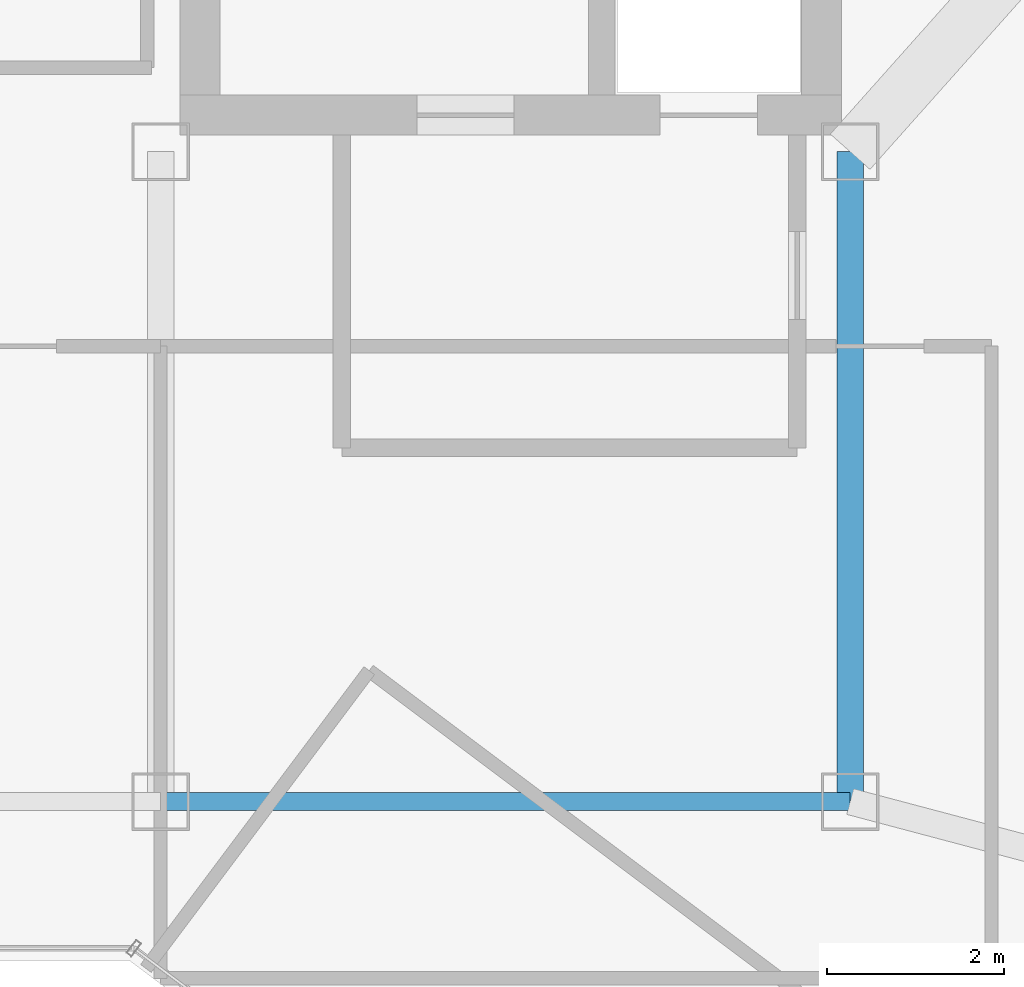
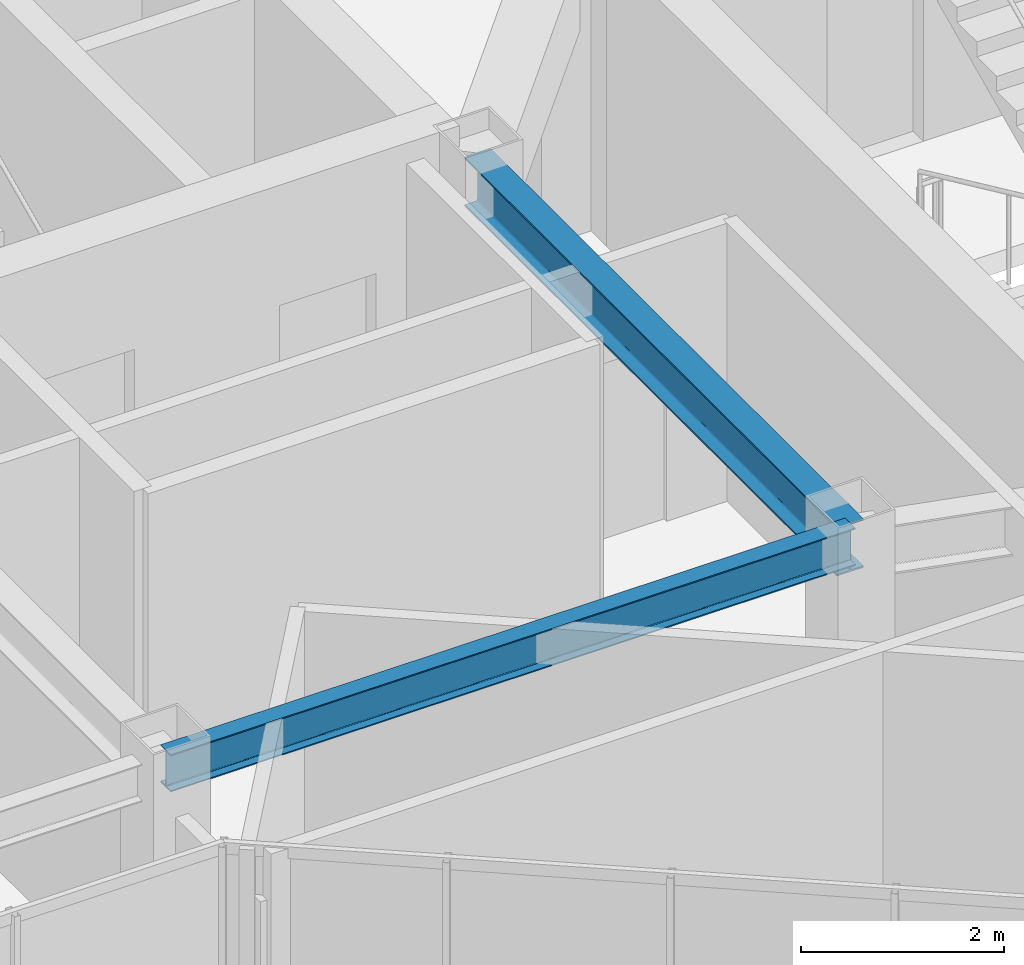
# One storey, part 4 of 18: 2 beams.
"""IFC4 building model written with IfcOpenShell, lengths in metres."""

from ifc_helpers import new_model, si_unit, direction, frame, origin, origin_2d, place, context, subcontext, project, spatial, i_section, extrude, material, material_profile, profile_set, type_object, element, save


model = new_model("IFC4")

# Units and contexts
model_context = context("Model", 3, precision=1e-05, world=origin(), true_north=direction((0.0, 1.0)))
body_context = subcontext(model_context, "Body", "Model", "MODEL_VIEW")
ifc_project = project(units=[si_unit("LENGTHUNIT", "METRE"), si_unit("AREAUNIT", "SQUARE_METRE"), si_unit("VOLUMEUNIT", "CUBIC_METRE"), si_unit("PLANEANGLEUNIT", "RADIAN"), si_unit("MASSUNIT", "GRAM", prefix="KILO")], contexts=[model_context])

# Site, building, storey
site_placement = place(None, origin())
site = spatial("IfcSite", under=ifc_project, at=site_placement, CompositionType="ELEMENT")
building_placement = place(site_placement, origin())
building = spatial("IfcBuilding", under=site, at=building_placement, Name="Hatsunagi Terrace Concourse", CompositionType="ELEMENT")
storey_placement = place(building_placement, frame((0.0, 0.0, 250.35009765625)))
storey = spatial("IfcBuildingStorey", under=building, at=storey_placement, Name="L66", CompositionType="ELEMENT", Elevation=250.35009765625)

# Beams
ifc_material_1 = material(Name="Steel SN490B", Category="steel")
ifc_material_profile_1 = material_profile(ifc_material_1, i_section(OverallWidth=0.300048828125, OverallDepth=0.587890625, WebThickness=0.011962890625, FlangeThickness=0.02001953125, FilletRadius=0.01806640625, at=origin_2d()), Name="H-588x300x12x20")
ifc_profile_set_1 = profile_set([ifc_material_profile_1], Name="Steel SN490B")
beam_type_1 = type_object("IfcBeamType", Name="OfficeHighGirder_H_588x300", PredefinedType="BEAM", material=ifc_profile_set_1)
beam_1_placement = place(storey_placement, frame((33.35009765625, 25.199951171875, 3.055908203125), z_axis=(0.0, 1.0, 0.0), x_axis=(-1.0, 0.0, 0.0)))
element("IfcBeam", 1, at=beam_1_placement, inside=storey, type_object=beam_type_1, Name="Beam G-06 BM-L66-K2CA", PredefinedType="BEAM", context=body_context, shape_type="SweptSolid", body=[
    extrude(i_section(OverallWidth=0.300048828125, OverallDepth=0.587890625, WebThickness=0.011962890625, FlangeThickness=0.02001953125, FilletRadius=0.01806640625, at=origin_2d()), origin(), (0.0, 0.0, 1.0), 7.35009765625),
])
ifc_material_2 = material(Name="Steel SN490B", Category="steel")
ifc_material_profile_2 = material_profile(ifc_material_2, i_section(OverallWidth=0.199951171875, OverallDepth=0.449951171875, WebThickness=0.009033203125, FlangeThickness=0.013916015625, FilletRadius=0.01611328125, at=origin_2d()), Name="H-450x200x9x14")
ifc_profile_set_2 = profile_set([ifc_material_profile_2], Name="Steel SN490B")
beam_type_2 = type_object("IfcBeamType", Name="PerimeterSpandrel_H_450x200", PredefinedType="SPANDREL", material=ifc_profile_set_2)
beam_2_placement = place(storey_placement, frame((25.550048828125, 25.199951171875, 3.125), z_axis=(1.0, 0.0, 0.0), x_axis=(0.0, 1.0, 0.0)))
element("IfcBeam", 2, at=beam_2_placement, inside=storey, type_object=beam_type_2, Name="Beam SP-02 BM-L66-WS-25", PredefinedType="SPANDREL", context=body_context, shape_type="SweptSolid", body=[
    extrude(i_section(OverallWidth=0.199951171875, OverallDepth=0.449951171875, WebThickness=0.009033203125, FlangeThickness=0.013916015625, FilletRadius=0.01611328125, at=origin_2d()), origin(), (0.0, 0.0, 1.0), 7.800048828125),
])

save(model, "model.ifc")
